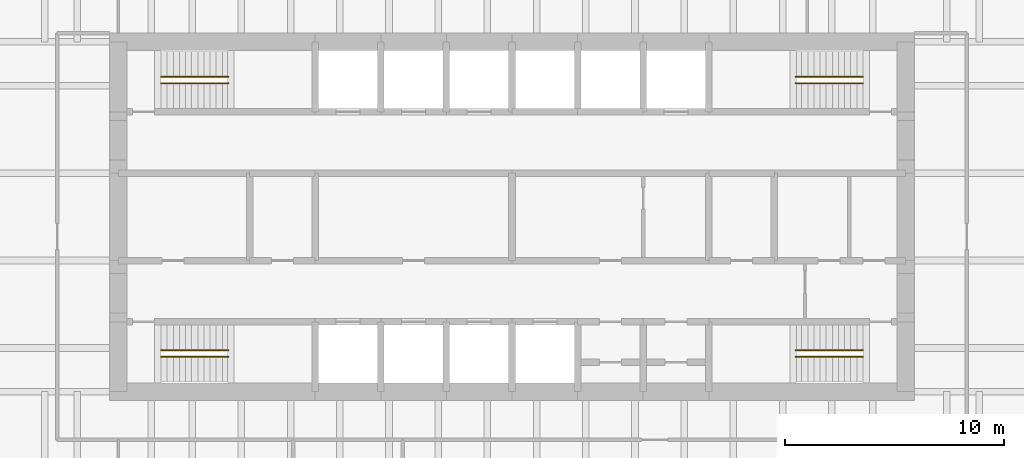
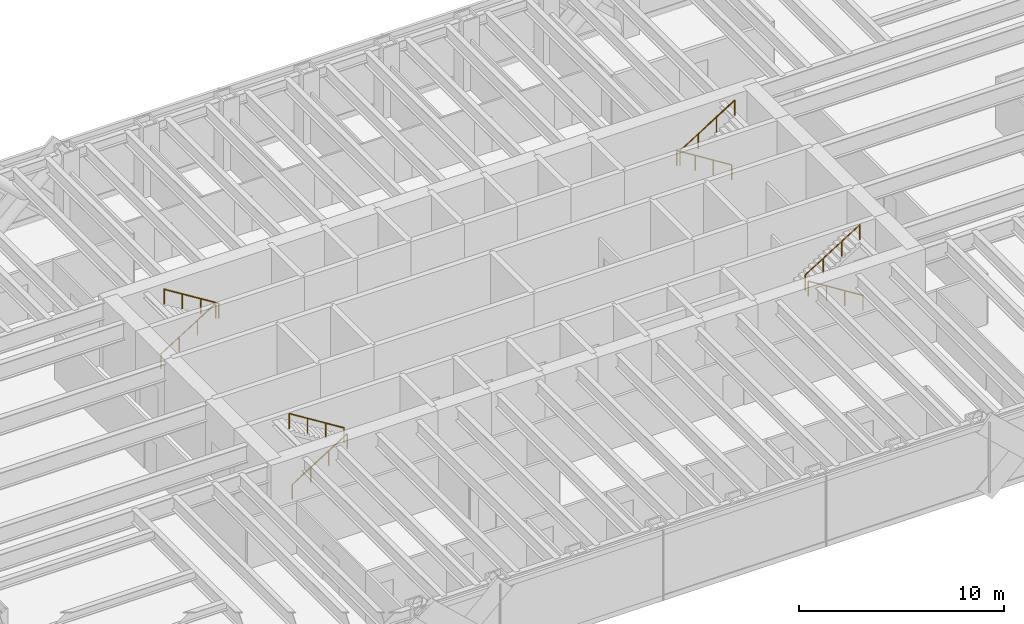
# One storey, part 14 of 14: 8 railings.
"""IFC4 building model written with IfcOpenShell, lengths in metres."""

from ifc_helpers import new_model, si_unit, direction, frame, origin, origin_2d, place, context, subcontext, project, spatial, circle, extrude, material, type_object, element, save


model = new_model("IFC4")

# Units and contexts
model_context = context("Model", 3, precision=1e-05, world=origin(), true_north=direction((0.0, 1.0)))
body_context = subcontext(model_context, "Body", "Model", "MODEL_VIEW")
ifc_project = project(units=[si_unit("LENGTHUNIT", "METRE"), si_unit("AREAUNIT", "SQUARE_METRE"), si_unit("VOLUMEUNIT", "CUBIC_METRE"), si_unit("PLANEANGLEUNIT", "RADIAN"), si_unit("MASSUNIT", "GRAM", prefix="KILO")], contexts=[model_context])

# Site, building, storey
site_placement = place(None, origin())
site = spatial("IfcSite", under=ifc_project, at=site_placement, CompositionType="ELEMENT")
building_placement = place(site_placement, origin())
building = spatial("IfcBuilding", under=site, at=building_placement, Name="Rheinbord Bourse Tower", CompositionType="ELEMENT")
storey_placement = place(building_placement, frame((0.0, 0.0, 198.39990234375)))
storey = spatial("IfcBuildingStorey", under=building, at=storey_placement, Name="L44", CompositionType="ELEMENT", Elevation=198.39990234375)

# Railings
ifc_material = material(Name="Steel handrail", Category="steel")
railing_type = type_object("IfcRailingType", Name="HANDRAIL 900", PredefinedType="HANDRAIL", material=ifc_material)
railing_1_placement = place(storey_placement, frame((19.949951171875, 17.60009765625, 0.175048828125)))
element("IfcRailing", 1, at=railing_1_placement, inside=storey, type_object=railing_type, Name="Handrail", PredefinedType="HANDRAIL", context=body_context, shape_type="SweptSolid", body=[
    extrude(circle(Radius=0.02392578125, at=origin_2d()), frame((0.0, 0.0, 0.8759765625), z_axis=(0.847998304005, 0.0, 0.529998940003), x_axis=(0.0, 1.0, 0.0)), (0.0, 0.0, 1.0), 3.632080078125),
    extrude(circle(Radius=0.02099609375, at=origin_2d()), origin(), (0.0, 0.0, 1.0), 0.851806640625),
    extrude(circle(Radius=0.02099609375, at=origin_2d()), frame((1.026611328125, 0.0, 0.6416015625)), (0.0, 0.0, 1.0), 0.851806640625),
    extrude(circle(Radius=0.02099609375, at=origin_2d()), frame((2.053466796875, 0.0, 1.283447265625)), (0.0, 0.0, 1.0), 0.851806640625),
    extrude(circle(Radius=0.02099609375, at=origin_2d()), frame((3.080078125, 0.0, 1.925048828125)), (0.0, 0.0, 1.0), 0.851806640625),
])
railing_2_placement = place(storey_placement, frame((23.030029296875, 17.89990234375, 2.275146484375)))
element("IfcRailing", 2, at=railing_2_placement, inside=storey, type_object=railing_type, Name="Handrail", PredefinedType="HANDRAIL", context=body_context, shape_type="SweptSolid", body=[
    extrude(circle(Radius=0.02392578125, at=origin_2d()), frame((0.0, 0.0, 0.8759765625), z_axis=(-0.847998304005, 0.0, 0.529998940003), x_axis=(0.0, -1.0, 0.0)), (0.0, 0.0, 1.0), 3.632080078125),
    extrude(circle(Radius=0.02099609375, at=origin_2d()), origin(), (0.0, 0.0, 1.0), 0.851806640625),
    extrude(circle(Radius=0.02099609375, at=origin_2d()), frame((-1.026611328125, 0.0, 0.6416015625)), (0.0, 0.0, 1.0), 0.851806640625),
    extrude(circle(Radius=0.02099609375, at=origin_2d()), frame((-2.053466796875, 0.0, 1.283447265625)), (0.0, 0.0, 1.0), 0.851806640625),
    extrude(circle(Radius=0.02099609375, at=origin_2d()), frame((-3.080078125, 0.0, 1.925048828125)), (0.0, 0.0, 1.0), 0.851806640625),
])
railing_3_placement = place(storey_placement, frame((19.949951171875, 30.39990234375, 0.175048828125)))
element("IfcRailing", 3, at=railing_3_placement, inside=storey, type_object=railing_type, Name="Handrail", PredefinedType="HANDRAIL", context=body_context, shape_type="SweptSolid", body=[
    extrude(circle(Radius=0.02392578125, at=origin_2d()), frame((0.0, 0.0, 0.8759765625), z_axis=(0.847998304005, 0.0, 0.529998940003), x_axis=(0.0, 1.0, 0.0)), (0.0, 0.0, 1.0), 3.632080078125),
    extrude(circle(Radius=0.02099609375, at=origin_2d()), origin(), (0.0, 0.0, 1.0), 0.851806640625),
    extrude(circle(Radius=0.02099609375, at=origin_2d()), frame((1.026611328125, 0.0, 0.6416015625)), (0.0, 0.0, 1.0), 0.851806640625),
    extrude(circle(Radius=0.02099609375, at=origin_2d()), frame((2.053466796875, 0.0, 1.283447265625)), (0.0, 0.0, 1.0), 0.851806640625),
    extrude(circle(Radius=0.02099609375, at=origin_2d()), frame((3.080078125, 0.0, 1.925048828125)), (0.0, 0.0, 1.0), 0.851806640625),
])
for number, where, name in (
    (4, (23.030029296875, 30.10009765625, 2.275146484375), "Handrail"),
    (5, (52.050048828125, 17.60009765625, 0.175048828125), "Handrail"),
):
    element("IfcRailing", number, at=place(storey_placement, frame(where)), inside=storey, type_object=railing_type, Name=name, PredefinedType="HANDRAIL", context=body_context, shape_type="SweptSolid", body=[
        extrude(circle(Radius=0.02392578125, at=origin_2d()), frame((0.0, 0.0, 0.8759765625), z_axis=(-0.847998304005, 0.0, 0.529998940003), x_axis=(0.0, -1.0, 0.0)), (0.0, 0.0, 1.0), 3.632080078125),
        extrude(circle(Radius=0.02099609375, at=origin_2d()), origin(), (0.0, 0.0, 1.0), 0.851806640625),
        extrude(circle(Radius=0.02099609375, at=origin_2d()), frame((-1.026611328125, 0.0, 0.6416015625)), (0.0, 0.0, 1.0), 0.851806640625),
        extrude(circle(Radius=0.02099609375, at=origin_2d()), frame((-2.053466796875, 0.0, 1.283447265625)), (0.0, 0.0, 1.0), 0.851806640625),
        extrude(circle(Radius=0.02099609375, at=origin_2d()), frame((-3.080078125, 0.0, 1.925048828125)), (0.0, 0.0, 1.0), 0.851806640625),
    ])
railing_4_placement = place(storey_placement, frame((48.969970703125, 17.89990234375, 2.275146484375)))
element("IfcRailing", 6, at=railing_4_placement, inside=storey, type_object=railing_type, Name="Handrail", PredefinedType="HANDRAIL", context=body_context, shape_type="SweptSolid", body=[
    extrude(circle(Radius=0.02392578125, at=origin_2d()), frame((0.0, 0.0, 0.8759765625), z_axis=(0.847998304005, 0.0, 0.529998940003), x_axis=(0.0, 1.0, 0.0)), (0.0, 0.0, 1.0), 3.632080078125),
    extrude(circle(Radius=0.02099609375, at=origin_2d()), origin(), (0.0, 0.0, 1.0), 0.851806640625),
    extrude(circle(Radius=0.02099609375, at=origin_2d()), frame((1.026611328125, 0.0, 0.6416015625)), (0.0, 0.0, 1.0), 0.851806640625),
    extrude(circle(Radius=0.02099609375, at=origin_2d()), frame((2.053466796875, 0.0, 1.283447265625)), (0.0, 0.0, 1.0), 0.851806640625),
    extrude(circle(Radius=0.02099609375, at=origin_2d()), frame((3.080078125, 0.0, 1.925048828125)), (0.0, 0.0, 1.0), 0.851806640625),
])
railing_5_placement = place(storey_placement, frame((52.050048828125, 30.39990234375, 0.175048828125)))
element("IfcRailing", 7, at=railing_5_placement, inside=storey, type_object=railing_type, Name="Handrail", PredefinedType="HANDRAIL", context=body_context, shape_type="SweptSolid", body=[
    extrude(circle(Radius=0.02392578125, at=origin_2d()), frame((0.0, 0.0, 0.8759765625), z_axis=(-0.847998304005, 0.0, 0.529998940003), x_axis=(0.0, -1.0, 0.0)), (0.0, 0.0, 1.0), 3.632080078125),
    extrude(circle(Radius=0.02099609375, at=origin_2d()), origin(), (0.0, 0.0, 1.0), 0.851806640625),
    extrude(circle(Radius=0.02099609375, at=origin_2d()), frame((-1.026611328125, 0.0, 0.6416015625)), (0.0, 0.0, 1.0), 0.851806640625),
    extrude(circle(Radius=0.02099609375, at=origin_2d()), frame((-2.053466796875, 0.0, 1.283447265625)), (0.0, 0.0, 1.0), 0.851806640625),
    extrude(circle(Radius=0.02099609375, at=origin_2d()), frame((-3.080078125, 0.0, 1.925048828125)), (0.0, 0.0, 1.0), 0.851806640625),
])
railing_6_placement = place(storey_placement, frame((48.969970703125, 30.10009765625, 2.275146484375)))
element("IfcRailing", 8, at=railing_6_placement, inside=storey, type_object=railing_type, Name="Handrail", PredefinedType="HANDRAIL", context=body_context, shape_type="SweptSolid", body=[
    extrude(circle(Radius=0.02392578125, at=origin_2d()), frame((0.0, 0.0, 0.8759765625), z_axis=(0.847998304005, 0.0, 0.529998940003), x_axis=(0.0, 1.0, 0.0)), (0.0, 0.0, 1.0), 3.632080078125),
    extrude(circle(Radius=0.02099609375, at=origin_2d()), origin(), (0.0, 0.0, 1.0), 0.851806640625),
    extrude(circle(Radius=0.02099609375, at=origin_2d()), frame((1.026611328125, 0.0, 0.6416015625)), (0.0, 0.0, 1.0), 0.851806640625),
    extrude(circle(Radius=0.02099609375, at=origin_2d()), frame((2.053466796875, 0.0, 1.283447265625)), (0.0, 0.0, 1.0), 0.851806640625),
    extrude(circle(Radius=0.02099609375, at=origin_2d()), frame((3.080078125, 0.0, 1.925048828125)), (0.0, 0.0, 1.0), 0.851806640625),
])

save(model, "model.ifc")
